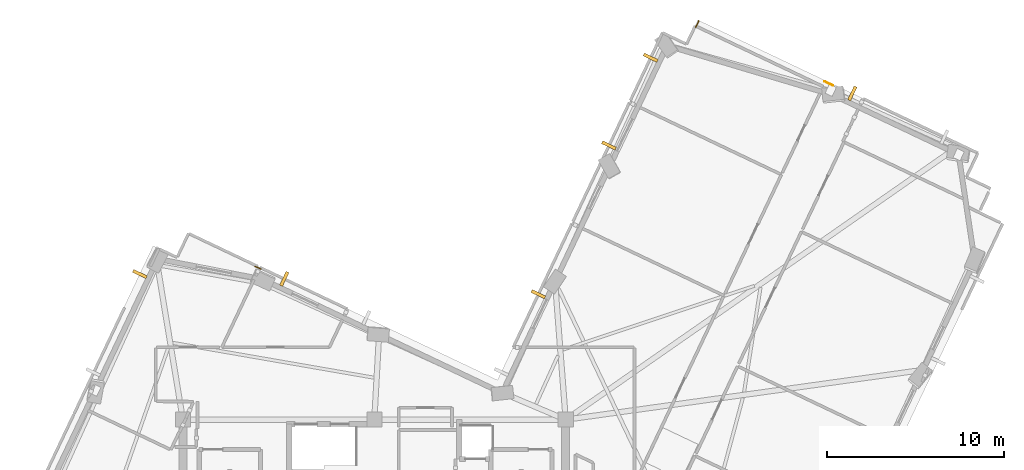
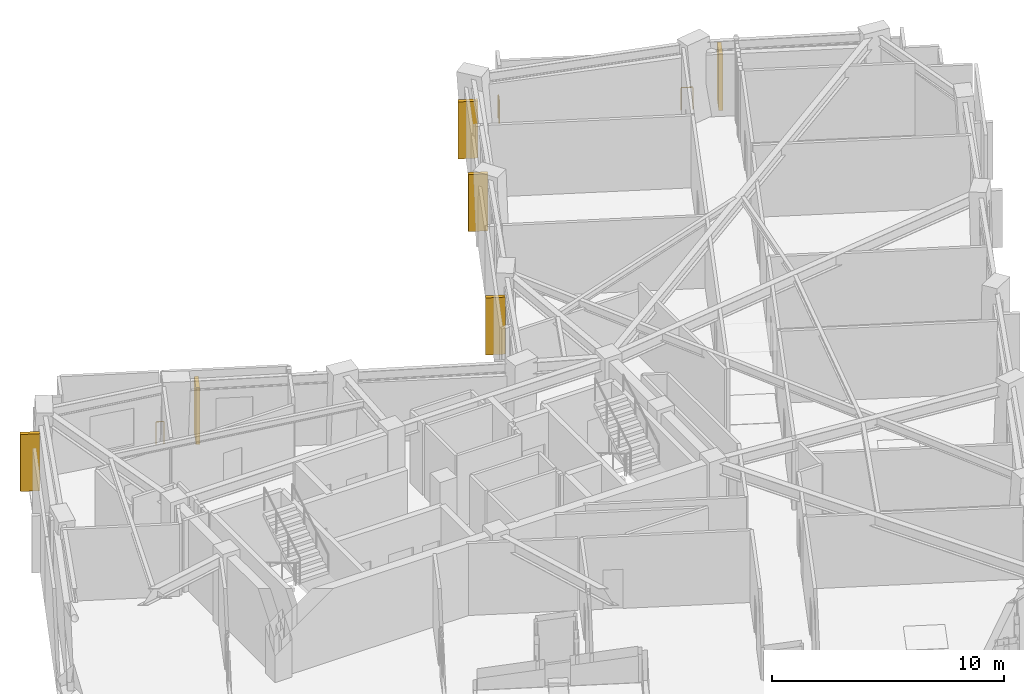
# One storey, part 12 of 13: 6 shading devices, 3 railings.
"""IFC4 building model written with IfcOpenShell, lengths in metres."""

from ifc_helpers import new_model, si_unit, direction, frame, origin, origin_2d, place, context, subcontext, project, spatial, rectangle, circle, extrude, material, layer, layer_set, type_object, element, save


model = new_model("IFC4")

# Units and contexts
model_context = context("Model", 3, precision=1e-05, world=origin(), true_north=direction((0.0, 1.0)))
body_context = subcontext(model_context, "Body", "Model", "MODEL_VIEW")
ifc_project = project(units=[si_unit("LENGTHUNIT", "METRE"), si_unit("AREAUNIT", "SQUARE_METRE"), si_unit("VOLUMEUNIT", "CUBIC_METRE"), si_unit("PLANEANGLEUNIT", "RADIAN"), si_unit("MASSUNIT", "GRAM", prefix="KILO")], contexts=[model_context])

# Site, building, storey
site_placement = place(None, origin())
site = spatial("IfcSite", under=ifc_project, at=site_placement, CompositionType="ELEMENT")
building_placement = place(site_placement, origin())
building = spatial("IfcBuilding", under=site, at=building_placement, Name="Gaonmaruhae Medical Tower", CompositionType="ELEMENT")
storey_placement = place(building_placement, frame((0.0, 0.0, 300.60009765625)))
storey = spatial("IfcBuildingStorey", under=building, at=storey_placement, Name="L72", CompositionType="ELEMENT", Elevation=300.60009765625)

# Railings
ifc_material_1 = material(Name="Stainless steel 316L and laminated safety glass", Category="steel")
ifc_layer = layer(ifc_material_1, 0.080078125)
ifc_layer_set = layer_set([ifc_layer], Name="Stainless steel 316L and laminated safety glass")
railing_type = type_object("IfcRailingType", Name="GD-120 Outdoor Terrace Safety Glass & Steel Balustrade", PredefinedType="BALUSTRADE", material=ifc_layer_set)
railing_1_placement = place(storey_placement, frame((18.086669921875, 25.44677734375, 0.0)))
element("IfcRailing", 1, at=railing_1_placement, inside=storey, type_object=railing_type, Name="L72 Perimeter Slab Edge Safety Balustrade 01", PredefinedType="BALUSTRADE", context=body_context, shape_type="SweptSolid", body=[
    extrude(circle(Radius=0.02392578125, at=origin_2d()), frame((0.0, 0.0, 1.17578125), z_axis=(0.903326393852, -0.428953874176, 0.0), x_axis=(0.428953874176, 0.903326393852, 0.0)), (0.0, 0.0, 1.0), 0.338623046875),
    extrude(circle(Radius=0.02099609375, at=origin_2d()), origin(), (0.0, 0.0, 1.0), 1.15185546875),
    extrude(circle(Radius=0.02099609375, at=origin_2d()), frame((0.305908203125, -0.145263671875, 0.0)), (0.0, 0.0, 1.0), 1.15185546875),
])
railing_2_placement = place(storey_placement, frame((42.94140625, 38.947509765625, 0.0)))
element("IfcRailing", 2, at=railing_2_placement, inside=storey, type_object=railing_type, Name="L72 Perimeter Slab Edge Safety Balustrade 02", PredefinedType="BALUSTRADE", context=body_context, shape_type="SweptSolid", body=[
    extrude(circle(Radius=0.02392578125, at=origin_2d()), frame((0.0, 0.0, 1.17578125), z_axis=(0.428993495824, 0.903307578038, 0.0), x_axis=(-0.903307578038, 0.428993495824, 0.0)), (0.0, 0.0, 1.0), 0.393310546875),
    extrude(circle(Radius=0.02099609375, at=origin_2d()), origin(), (0.0, 0.0, 1.0), 1.15185546875),
    extrude(circle(Radius=0.02099609375, at=origin_2d()), frame((0.168701171875, 0.355224609375, 0.0)), (0.0, 0.0, 1.0), 1.15185546875),
])
railing_3_placement = place(storey_placement, frame((50.2119140625, 35.875, 0.0)))
element("IfcRailing", 3, at=railing_3_placement, inside=storey, type_object=railing_type, Name="L72 Perimeter Slab Edge Safety Balustrade 03", PredefinedType="BALUSTRADE", context=body_context, shape_type="SweptSolid", body=[
    extrude(circle(Radius=0.02392578125, at=origin_2d()), frame((0.0, 0.0, 1.17578125), z_axis=(0.903487780482, -0.428613847794, 0.0), x_axis=(0.428613847794, 0.903487780482, 0.0)), (0.0, 0.0, 1.0), 0.51708984375),
    extrude(circle(Radius=0.02099609375, at=origin_2d()), origin(), (0.0, 0.0, 1.0), 1.15185546875),
    extrude(circle(Radius=0.02099609375, at=origin_2d()), frame((0.46728515625, -0.2216796875, 0.0)), (0.0, 0.0, 1.0), 1.15185546875),
])

# Shading devices
ifc_material_2 = material(Name="Pigmented coral precast concrete C45/55", Category="concrete")
shading_device_type = type_object("IfcShadingDeviceType", Name="SD-FIN1 Tower Vertical Coral Precast Shading Fin", PredefinedType="USERDEFINED", material=ifc_material_2)
for number, where, z_axis, x_axis, name in (
    (4, (51.768798828125, 35.207763671875, 0.13232421875), (0.0, 0.0, 1.0), (0.903335292863, -0.428935133403, 0.0), "L72 Vertical Coral Precast Shading Fin E01"),
    (5, (38.038818359375, 32.271484375, 0.13232421875), (0.0, 0.0, 1.0), (0.428935133403, 0.903335292863, 0.0), "L72 Vertical Coral Precast Shading Fin E03"),
    (6, (40.389404296875, 37.221435546875, 0.13232421875), (0.0, 0.0, 1.0), (0.428935133403, 0.903335292863, 0.0), "L72 Vertical Coral Precast Shading Fin E03B"),
    (7, (34.05419921875, 23.8798828125, 0.13232421875), (0.0, 0.0, 1.0), (0.428935133403, 0.903335292863, 0.0), "L72 Vertical Coral Precast Shading Fin EN02B"),
    (8, (19.720458984375, 24.742919921875, 0.13232421875), (0.0, 0.0, 1.0), (0.903335292863, -0.428935133403, 0.0), "L72 Vertical Coral Precast Shading Fin NE01"),
    (9, (11.569091796875, 25.0185546875, 0.13232421875), (0.0, 0.0, 1.0), (0.428935133403, 0.903335292863, 0.0), "L72 Vertical Coral Precast Shading Fin N01B"),
):
    element("IfcShadingDevice", number, at=place(storey_placement, frame(where, z_axis=z_axis, x_axis=x_axis)), inside=storey, type_object=shading_device_type, Name=name, ObjectType="FIN", PredefinedType="USERDEFINED", context=body_context, shape_type="SweptSolid", body=[
        extrude(rectangle(XDim=0.179931640625, YDim=0.85009765625, at=origin_2d()), origin(), (0.0, 0.0, 1.0), 3.0),
    ])

save(model, "model.ifc")
